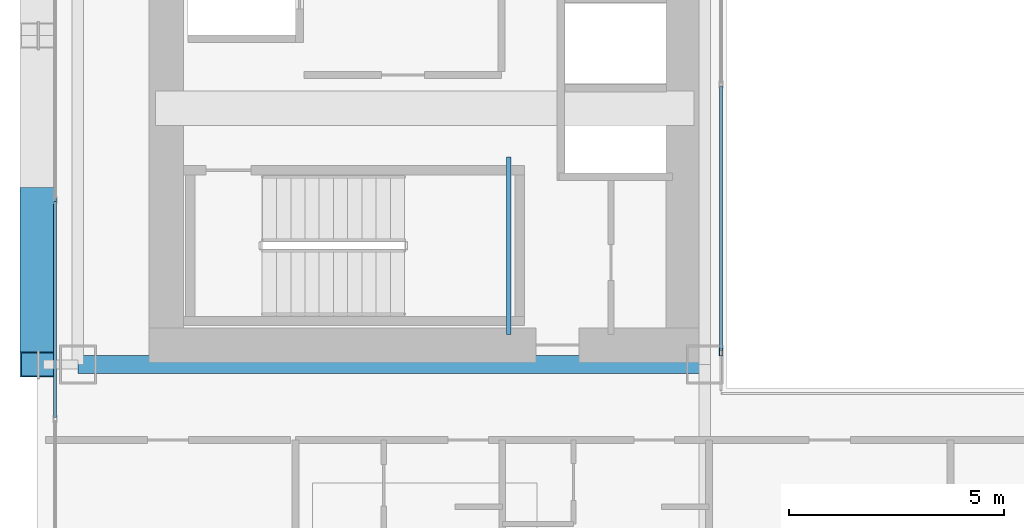
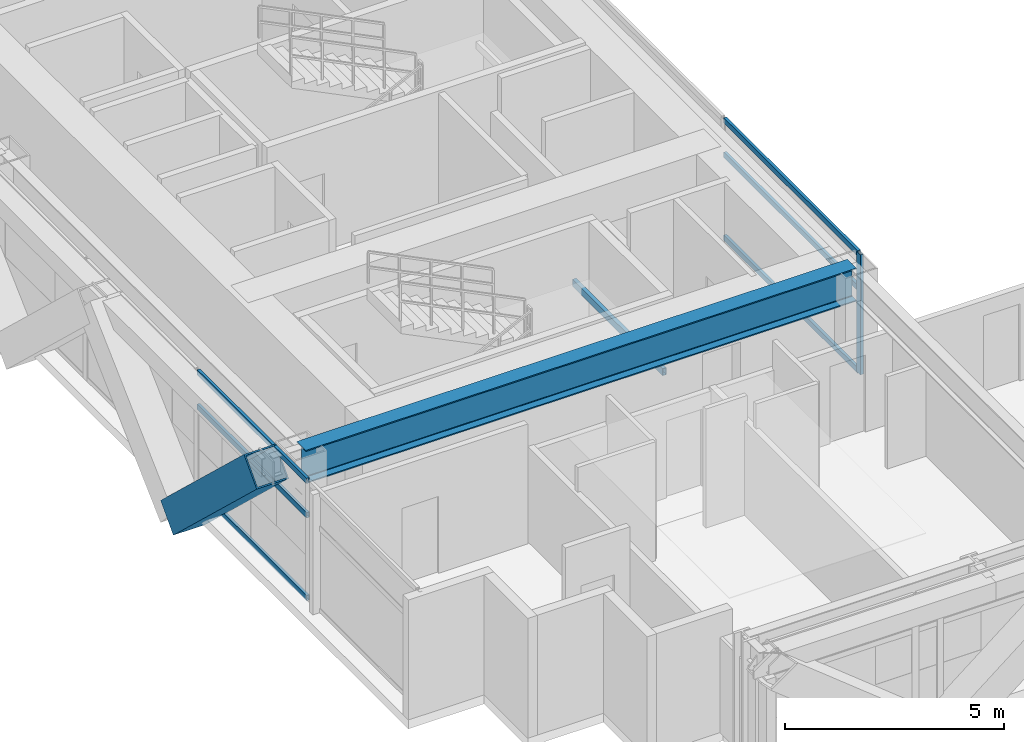
# One storey, part 4 of 41: 8 members, 2 beams, 2 elements without a shape of their own.
"""IFC4 building model written with IfcOpenShell, lengths in metres."""

from ifc_helpers import new_model, si_unit, direction, frame, origin, origin_2d, place, context, subcontext, project, spatial, hollow_rectangle, i_section, extrude, source, transform, mapped, material, layer, layer_set, material_profile, profile_set, type_object, element, aggregate, save


model = new_model("IFC4")

# Units and contexts
model_context = context("Model", 3, precision=1e-05, world=origin(), true_north=direction((0.0, 1.0)))
body_context = subcontext(model_context, "Body", "Model", "MODEL_VIEW")
ifc_project = project(units=[si_unit("LENGTHUNIT", "METRE"), si_unit("AREAUNIT", "SQUARE_METRE"), si_unit("VOLUMEUNIT", "CUBIC_METRE"), si_unit("PLANEANGLEUNIT", "RADIAN"), si_unit("MASSUNIT", "GRAM", prefix="KILO")], contexts=[model_context])

# Site, building, storey
site_placement = place(None, origin())
site = spatial("IfcSite", under=ifc_project, at=site_placement, CompositionType="ELEMENT")
building_placement = place(site_placement, origin())
building = spatial("IfcBuilding", under=site, at=building_placement, Name="Ocotamira Hotel", CompositionType="ELEMENT")
storey_placement = place(building_placement, frame((0.0, 0.0, 67.199951171875)))
storey = spatial("IfcBuildingStorey", under=building, at=storey_placement, Name="L16", CompositionType="ELEMENT", Elevation=67.199951171875)

# Beams
ifc_material_1 = material(Name="Steel ASTM A500 Grade C", Category="steel")
ifc_material_profile_1 = material_profile(ifc_material_1, hollow_rectangle(XDim=0.10009765625, YDim=0.199951171875, WallThickness=0.008056640625, at=origin_2d()), Name="HSS200X100X8")
ifc_profile_set_1 = profile_set([ifc_material_profile_1], Name="Steel ASTM A500 Grade C")
beam_type_1 = type_object("IfcBeamType", Name="BM-STLDG-HSS200", PredefinedType="BEAM", material=ifc_profile_set_1)
shared_shape_1 = source(origin(), body_context, "Body", "SweptSolid", [
    extrude(hollow_rectangle(XDim=0.10009765625, YDim=0.199951171875, WallThickness=0.008056640625, at=origin_2d()), origin(), (0.0, 0.0, 1.0), 4.1201171875),
])
beam_1_placement = place(storey_placement, frame((18.949951171875, 15.25, 1.5), z_axis=(0.0, 1.0, 0.0), x_axis=(-1.0, 0.0, 0.0)))
element("IfcBeam", 1, at=beam_1_placement, inside=storey, type_object=beam_type_1, Name="L16 Stair ST-1 Landing Bearer 1", PredefinedType="BEAM", context=body_context, shape_type="MappedRepresentation", body=[
    mapped(shared_shape_1, transform((0.0, 0.0, 0.0), scale=1.0)),
])
ifc_material_2 = material(Name="Steel ASTM A992 Grade 50", Category="steel")
ifc_material_profile_2 = material_profile(ifc_material_2, i_section(OverallWidth=0.41796875, OverallDepth=0.927001953125, WebThickness=0.019287109375, FlangeThickness=0.031982421875, FilletRadius=0.02392578125, at=origin_2d()), Name="W36X231")
ifc_profile_set_2 = profile_set([ifc_material_profile_2], Name="Steel ASTM A992 Grade 50")
beam_type_2 = type_object("IfcBeamType", Name="BM-GIRD-W36X231", PredefinedType="BEAM", material=ifc_profile_set_2)
shared_shape_2 = source(origin(), body_context, "Body", "SweptSolid", [
    extrude(i_section(OverallWidth=0.41796875, OverallDepth=0.927001953125, WebThickness=0.019287109375, FlangeThickness=0.031982421875, FilletRadius=0.02392578125, at=origin_2d()), origin(), (0.0, 0.0, 1.0), 14.550048828125),
])
beam_2_placement = place(storey_placement, frame((8.949951171875, 14.550048828125, 2.886474609375), z_axis=(1.0, 0.0, 0.0), x_axis=(0.0, 1.0, 0.0)))
element("IfcBeam", 2, at=beam_2_placement, inside=storey, type_object=beam_type_2, Name="L16 Girder Y14.55 X8.95-23.5", PredefinedType="BEAM", context=body_context, shape_type="MappedRepresentation", body=[
    mapped(shared_shape_2, transform((0.0, 0.0, 0.0), scale=1.0)),
])

# Member
ifc_material_3 = material(Name="Pale-metal coated steel ASTM A913 Grade 65", Category="steel")
ifc_material_profile_3 = material_profile(ifc_material_3, hollow_rectangle(XDim=0.85009765625, YDim=0.85009765625, WallThickness=0.035888671875, at=origin_2d()), Name="BOX850X850X36")
ifc_profile_set_3 = profile_set([ifc_material_profile_3], Name="Pale-metal coated steel ASTM A913 Grade 65")
member_type_1 = type_object("IfcMemberType", Name="MEM-EXO-BOX850", PredefinedType="BRACE", material=ifc_profile_set_3)
shared_shape_3 = source(origin(), body_context, "Body", "SweptSolid", [
    extrude(hollow_rectangle(XDim=0.85009765625, YDim=0.85009765625, WallThickness=0.035888671875, at=origin_2d()), origin(), (0.0, 0.0, 1.0), 5.24658203125),
])
member_1_placement = place(storey_placement, frame((8.030029296875, 18.36669921875, -0.5), z_axis=(0.0, -0.727442733726, 0.686168397078), x_axis=(1.0, 0.0, 0.0)))
element("IfcMember", 3, at=member_1_placement, inside=storey, type_object=member_type_1, Name="L16 Exoskeleton Diagrid W0.1", PredefinedType="BRACE", context=body_context, shape_type="MappedRepresentation", body=[
    mapped(shared_shape_3, transform((0.0, 0.0, 0.0), scale=1.0)),
])

# Curtain wall, members
ifc_material_4 = material(Name="Anodised pale-metal aluminium and solar glass", Category="aluminium")
ifc_layer_1 = layer(ifc_material_4, 0.179931640625)
ifc_layer_set_1 = layer_set([ifc_layer_1], Name="Anodised pale-metal aluminium and solar glass")
curtain_wall_type_1 = type_object("IfcCurtainWallType", Name="CW-SYS2-Z1", PredefinedType="NOTDEFINED", material=ifc_layer_set_1)
curtain_wall_1_placement = place(storey_placement, origin())
curtain_wall_1 = element("IfcCurtainWall", 4, at=curtain_wall_1_placement, inside=storey, type_object=curtain_wall_type_1, Name="L16 Curtain Wall CW-2 CW-L16-W", PredefinedType="NOTDEFINED")
ifc_material_5 = material(Name="Anodised pale-metal aluminium 6063-T6", Category="aluminium")
ifc_material_profile_4 = material_profile(ifc_material_5, hollow_rectangle(XDim=0.074951171875, YDim=0.14990234375, WallThickness=0.006103515625, at=origin_2d()), Name="HSS150X75X6")
ifc_profile_set_4 = profile_set([ifc_material_profile_4], Name="Anodised pale-metal aluminium 6063-T6")
member_type_2 = type_object("IfcMemberType", Name="CWT-150X75", PredefinedType="USERDEFINED", material=ifc_profile_set_4)
shared_shape_4 = source(origin(), body_context, "Body", "SweptSolid", [
    extrude(hollow_rectangle(XDim=0.074951171875, YDim=0.14990234375, WallThickness=0.006103515625, at=origin_2d()), origin(), (0.0, 0.0, 1.0), 5.005859375),
])
member_2_placement = place(storey_placement, frame((8.419921875, 13.32568359375, 0.03759765625), z_axis=(0.0, 1.0, 0.0), x_axis=(-1.0, 0.0, 0.0)))
member_2 = element("IfcMember", 5, at=member_2_placement, type_object=member_type_2, Name="CW-2 transom 2.1", ObjectType="TRANSOM", PredefinedType="USERDEFINED", context=body_context, shape_type="MappedRepresentation", body=[
    mapped(shared_shape_4, transform((0.0, 0.0, 0.0), scale=1.0)),
])
member_3_placement = place(storey_placement, frame((8.419921875, 13.32568359375, 2.35009765625), z_axis=(0.0, 1.0, 0.0), x_axis=(-1.0, 0.0, 0.0)))
member_3 = element("IfcMember", 6, at=member_3_placement, type_object=member_type_2, Name="CW-2 transom 2.2", ObjectType="TRANSOM", PredefinedType="USERDEFINED", context=body_context, shape_type="MappedRepresentation", body=[
    mapped(shared_shape_4, transform((0.0, 0.0, 0.0), scale=1.0)),
])
member_4_placement = place(storey_placement, frame((8.419921875, 13.32568359375, 3.3125), z_axis=(0.0, 1.0, 0.0), x_axis=(-1.0, 0.0, 0.0)))
member_4 = element("IfcMember", 7, at=member_4_placement, type_object=member_type_2, Name="CW-2 transom 2.3", ObjectType="TRANSOM", PredefinedType="USERDEFINED", context=body_context, shape_type="MappedRepresentation", body=[
    mapped(shared_shape_4, transform((0.0, 0.0, 0.0), scale=1.0)),
])
aggregate(curtain_wall_1, [member_2, member_3, member_4])

ifc_layer_2 = layer(ifc_material_4, 0.159912109375)
ifc_layer_set_2 = layer_set([ifc_layer_2], Name="Anodised pale-metal aluminium and solar glass")
curtain_wall_type_2 = type_object("IfcCurtainWallType", Name="CW-SYS6-ATR", PredefinedType="NOTDEFINED", material=ifc_layer_set_2)
curtain_wall_2_placement = place(storey_placement, origin())
curtain_wall_2 = element("IfcCurtainWall", 8, at=curtain_wall_2_placement, inside=storey, type_object=curtain_wall_type_2, Name="L16 Curtain Wall CW-6 CW-L16-ATRW1", PredefinedType="NOTDEFINED")
ifc_material_profile_5 = material_profile(ifc_material_5, hollow_rectangle(XDim=0.080078125, YDim=0.179931640625, WallThickness=0.006103515625, at=origin_2d()), Name="HSS180X80X6")
ifc_profile_set_5 = profile_set([ifc_material_profile_5], Name="Anodised pale-metal aluminium 6063-T6")
member_type_3 = type_object("IfcMemberType", Name="CWM-180X75", PredefinedType="MULLION", material=ifc_profile_set_5)
shared_shape_5 = source(origin(), body_context, "Body", "SweptSolid", [
    extrude(hollow_rectangle(XDim=0.080078125, YDim=0.179931640625, WallThickness=0.006103515625, at=origin_2d()), origin(), (0.0, 0.0, 1.0), 3.35009765625),
])
member_5_placement = place(storey_placement, frame((23.8798828125, 14.840087890625, 0.0), z_axis=(0.0, 0.0, 1.0), x_axis=(-1.0, 0.0, 0.0)))
member_5 = element("IfcMember", 9, at=member_5_placement, type_object=member_type_3, Name="CW-6 mullion 1", PredefinedType="MULLION", context=body_context, shape_type="MappedRepresentation", body=[
    mapped(shared_shape_5, transform((0.0, 0.0, 0.0), scale=1.0)),
])
shared_shape_6 = source(origin(), body_context, "Body", "SweptSolid", [
    extrude(hollow_rectangle(XDim=0.074951171875, YDim=0.14990234375, WallThickness=0.006103515625, at=origin_2d()), origin(), (0.0, 0.0, 1.0), 6.130126953125),
])
member_6_placement = place(storey_placement, frame((23.8798828125, 14.8798828125, 0.03759765625), z_axis=(0.0, 1.0, 0.0), x_axis=(-1.0, 0.0, 0.0)))
member_6 = element("IfcMember", 10, at=member_6_placement, type_object=member_type_2, Name="CW-6 transom 1.1", ObjectType="TRANSOM", PredefinedType="USERDEFINED", context=body_context, shape_type="MappedRepresentation", body=[
    mapped(shared_shape_6, transform((0.0, 0.0, 0.0), scale=1.0)),
])
member_7_placement = place(storey_placement, frame((23.8798828125, 14.8798828125, 2.35009765625), z_axis=(0.0, 1.0, 0.0), x_axis=(-1.0, 0.0, 0.0)))
member_7 = element("IfcMember", 11, at=member_7_placement, type_object=member_type_2, Name="CW-6 transom 1.2", ObjectType="TRANSOM", PredefinedType="USERDEFINED", context=body_context, shape_type="MappedRepresentation", body=[
    mapped(shared_shape_6, transform((0.0, 0.0, 0.0), scale=1.0)),
])
member_8_placement = place(storey_placement, frame((23.8798828125, 14.8798828125, 3.3125), z_axis=(0.0, 1.0, 0.0), x_axis=(-1.0, 0.0, 0.0)))
member_8 = element("IfcMember", 12, at=member_8_placement, type_object=member_type_2, Name="CW-6 transom 1.3", ObjectType="TRANSOM", PredefinedType="USERDEFINED", context=body_context, shape_type="MappedRepresentation", body=[
    mapped(shared_shape_6, transform((0.0, 0.0, 0.0), scale=1.0)),
])
aggregate(curtain_wall_2, [member_5, member_6, member_7, member_8])

save(model, "model.ifc")
